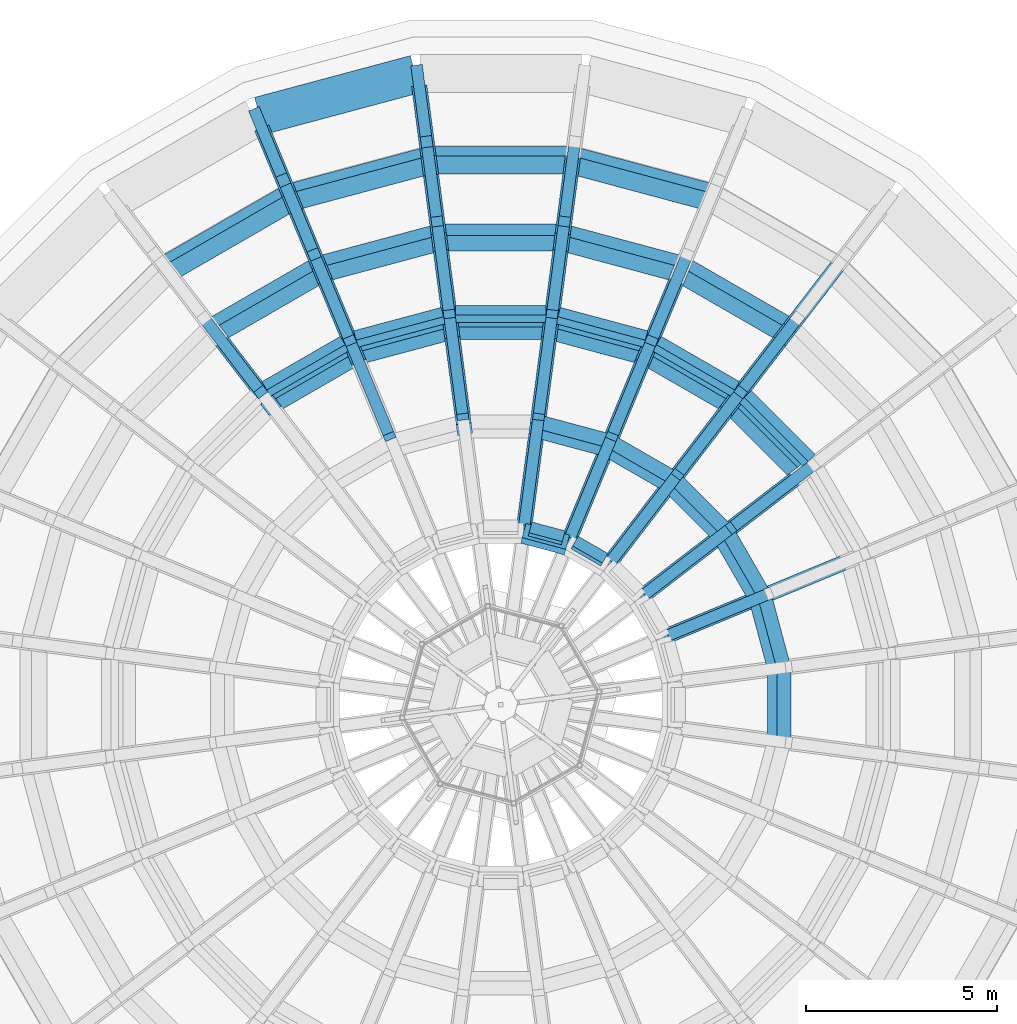
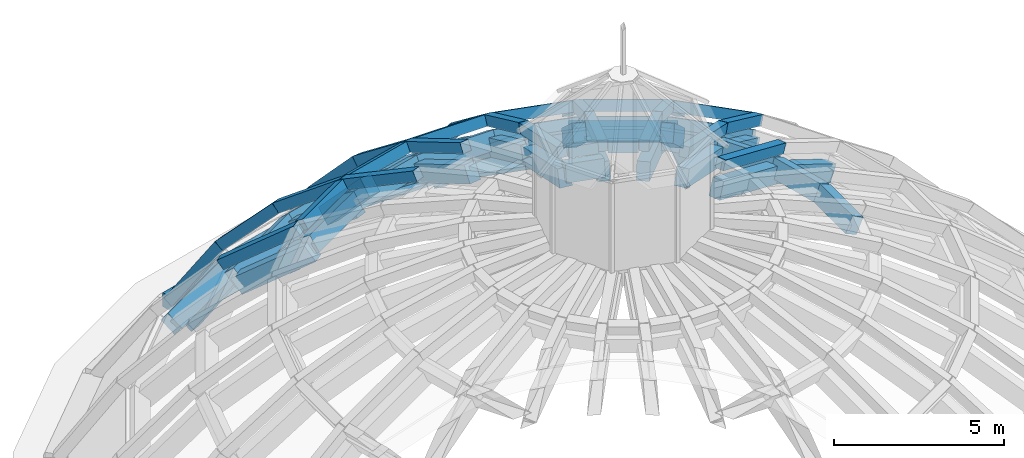
# One storey, part 16 of 29: 45 members, 31 beams.
"""IFC4 building model written with IfcOpenShell, lengths in metres."""

from ifc_helpers import new_model, si_unit, direction, frame, origin, origin_2d, place, context, subcontext, project, spatial, rectangle, extrude, material, material_profile, profile_set, type_object, element, save


model = new_model("IFC4")

# Units and contexts
model_context = context("Model", 3, precision=1e-05, world=origin(), true_north=direction((0.0, 1.0)))
body_context = subcontext(model_context, "Body", "Model", "MODEL_VIEW")
ifc_project = project(units=[si_unit("LENGTHUNIT", "METRE"), si_unit("AREAUNIT", "SQUARE_METRE"), si_unit("VOLUMEUNIT", "CUBIC_METRE"), si_unit("PLANEANGLEUNIT", "RADIAN"), si_unit("MASSUNIT", "GRAM", prefix="KILO")], contexts=[model_context])

# Site, building, storey
site_placement = place(None, origin())
site = spatial("IfcSite", under=ifc_project, at=site_placement, CompositionType="ELEMENT")
building_placement = place(site_placement, origin())
building = spatial("IfcBuilding", under=site, at=building_placement, Name="Golden Quay Civic Hall", CompositionType="ELEMENT")
storey_placement = place(building_placement, frame((0.0, 0.0, 27.0)))
storey = spatial("IfcBuildingStorey", under=building, at=storey_placement, Name="L06", CompositionType="ELEMENT", Elevation=27.0)

# Members
ifc_material_1 = material(Name="Concrete C40/50", Category="concrete")
ifc_material_profile_1 = material_profile(ifc_material_1, rectangle(XDim=0.39990234375, YDim=0.60009765625, at=origin_2d()), Name="RC 400x600")
ifc_profile_set_1 = profile_set([ifc_material_profile_1], Name="Concrete C40/50")
member_type_1 = type_object("IfcMemberType", Name="Reinforced concrete dome meridian rib 400x600", PredefinedType="STRUT", material=ifc_profile_set_1)
member_1_placement = place(storey_placement, frame((94.614013671875, 89.275146484375, 6.25048828125), z_axis=(-0.813382122153, -0.336908735718, 0.474238365338), x_axis=(0.382678419342, -0.923881608957, 0.0)))
element("IfcMember", 1, at=member_1_placement, inside=storey, type_object=member_type_1, Name="Dome meridian rib 2.4", PredefinedType="STRUT", context=body_context, shape_type="SweptSolid", body=[
    extrude(rectangle(XDim=0.39990234375, YDim=0.60009765625, at=origin_2d()), origin(), (0.0, 0.0, 1.0), 2.94921875),
])
for number, where, z_axis, x_axis, name in (
    (2, (92.215087890625, 88.281494140625, 7.649169921875), (-0.87370637571, -0.361899031227, 0.325063471095), (0.382681628015, -0.923880279895, 0.0), "Dome meridian rib 2.5"),
    (3, (93.326416015625, 91.50537109375, 6.25048828125), (-0.698460851057, -0.535972269565, 0.47422164206), (0.608778878712, -0.793339950358, 0.0), "Dome meridian rib 3.4"),
):
    element("IfcMember", number, at=place(storey_placement, frame(where, z_axis=z_axis, x_axis=x_axis)), inside=storey, type_object=member_type_1, Name=name, PredefinedType="STRUT", context=body_context, shape_type="SweptSolid", body=[
        extrude(rectangle(XDim=0.39990234375, YDim=0.60009765625, at=origin_2d()), origin(), (0.0, 0.0, 1.0), 2.949462890625),
    ])
member_2_placement = place(storey_placement, frame((91.266357421875, 89.924560546875, 7.649169921875), z_axis=(-0.750307626123, -0.575644222425, 0.325072600153), x_axis=(0.608703478453, -0.793397803954, 0.0)))
element("IfcMember", 4, at=member_2_placement, inside=storey, type_object=member_type_1, Name="Dome meridian rib 3.5", PredefinedType="STRUT", context=body_context, shape_type="SweptSolid", body=[
    extrude(rectangle(XDim=0.39990234375, YDim=0.60009765625, at=origin_2d()), origin(), (0.0, 0.0, 1.0), 2.94921875),
])
member_3_placement = place(storey_placement, frame((94.15234375, 96.776123046875, 2.293701171875), z_axis=(-0.415380151346, -0.541368312037, 0.731012777309), x_axis=(0.793372000459, -0.608737109833, 0.0)))
element("IfcMember", 5, at=member_3_placement, inside=storey, type_object=member_type_1, Name="Dome meridian rib 4.2", PredefinedType="STRUT", context=body_context, shape_type="SweptSolid", body=[
    extrude(rectangle(XDim=0.39990234375, YDim=0.60009765625, at=origin_2d()), origin(), (0.0, 0.0, 1.0), 2.949462890625),
])
member_4_placement = place(storey_placement, frame((92.92724609375, 95.179443359375, 4.44970703125), z_axis=(-0.482109208153, -0.628298229719, 0.610583365271), x_axis=(0.793353937939, -0.608760650139, 0.0)))
element("IfcMember", 6, at=member_4_placement, inside=storey, type_object=member_type_1, Name="Dome meridian rib 4.3", PredefinedType="STRUT", context=body_context, shape_type="SweptSolid", body=[
    extrude(rectangle(XDim=0.39990234375, YDim=0.60009765625, at=origin_2d()), origin(), (0.0, 0.0, 1.0), 2.94921875),
])
member_5_placement = place(storey_placement, frame((91.50537109375, 93.326416015625, 6.25048828125), z_axis=(-0.535972269565, -0.698460851057, 0.47422164206), x_axis=(0.793339950358, -0.608778878712, 0.0)))
element("IfcMember", 7, at=member_5_placement, inside=storey, type_object=member_type_1, Name="Dome meridian rib 4.4", PredefinedType="STRUT", context=body_context, shape_type="SweptSolid", body=[
    extrude(rectangle(XDim=0.39990234375, YDim=0.60009765625, at=origin_2d()), origin(), (0.0, 0.0, 1.0), 2.949462890625),
])
for number, where, z_axis, x_axis, name in (
    (8, (89.924560546875, 91.266357421875, 7.649169921875), (-0.575644222425, -0.750307626123, 0.325072600153), (0.793397803954, -0.608703478453, 0.0), "Dome meridian rib 4.5"),
    (9, (90.1689453125, 96.77197265625, 4.44970703125), (-0.303052719311, -0.731680684509, 0.610575486926), (0.923888167801, -0.382662584265, 0.0), "Dome meridian rib 5.3"),
    (10, (89.275146484375, 94.614013671875, 6.25048828125), (-0.336908735718, -0.813382122153, 0.474238365338), (0.923881608957, -0.382678419342, 0.0), "Dome meridian rib 5.4"),
):
    element("IfcMember", number, at=place(storey_placement, frame(where, z_axis=z_axis, x_axis=x_axis)), inside=storey, type_object=member_type_1, Name=name, PredefinedType="STRUT", context=body_context, shape_type="SweptSolid", body=[
        extrude(rectangle(XDim=0.39990234375, YDim=0.60009765625, at=origin_2d()), origin(), (0.0, 0.0, 1.0), 2.94921875),
    ])
for number, where, z_axis, x_axis, name in (
    (11, (88.281494140625, 92.215087890625, 7.649169921875), (-0.361899031227, -0.87370637571, 0.325063471095), (0.923880279895, -0.382681628015, 0.0), "Dome meridian rib 5.5"),
    (12, (87.355224609375, 99.591552734375, 2.293701171875), (-0.089068005808, -0.676536070137, 0.731003307889), (0.991444796426, -0.130526685544, 0.0), "Dome meridian rib 6.2"),
):
    element("IfcMember", number, at=place(storey_placement, frame(where, z_axis=z_axis, x_axis=x_axis)), inside=storey, type_object=member_type_1, Name=name, PredefinedType="STRUT", context=body_context, shape_type="SweptSolid", body=[
        extrude(rectangle(XDim=0.39990234375, YDim=0.60009765625, at=origin_2d()), origin(), (0.0, 0.0, 1.0), 2.949462890625),
    ])
member_6_placement = place(storey_placement, frame((87.092529296875, 97.59619140625, 4.44970703125), z_axis=(-0.103392551134, -0.785170814657, 0.61058723552), x_axis=(0.991441126748, -0.130554556385, 0.0)))
element("IfcMember", 13, at=member_6_placement, inside=storey, type_object=member_type_1, Name="Dome meridian rib 6.3", PredefinedType="STRUT", context=body_context, shape_type="SweptSolid", body=[
    extrude(rectangle(XDim=0.39990234375, YDim=0.60009765625, at=origin_2d()), origin(), (0.0, 0.0, 1.0), 2.94921875),
])
member_7_placement = place(storey_placement, frame((86.78759765625, 95.280517578125, 6.25048828125), z_axis=(-0.114893336309, -0.87287480647, 0.474224728902), x_axis=(0.991448214162, -0.130500722737, 0.0)))
element("IfcMember", 14, at=member_7_placement, inside=storey, type_object=member_type_1, Name="Dome meridian rib 6.4", PredefinedType="STRUT", context=body_context, shape_type="SweptSolid", body=[
    extrude(rectangle(XDim=0.39990234375, YDim=0.60009765625, at=origin_2d()), origin(), (0.0, 0.0, 1.0), 2.949462890625),
])
member_8_placement = place(storey_placement, frame((86.44873046875, 92.7060546875, 7.649169921875), z_axis=(-0.123428723032, -0.937594712982, 0.325086918407), x_axis=(0.991445950967, -0.130517915671, 0.0)))
element("IfcMember", 15, at=member_8_placement, inside=storey, type_object=member_type_1, Name="Dome meridian rib 6.5", PredefinedType="STRUT", context=body_context, shape_type="SweptSolid", body=[
    extrude(rectangle(XDim=0.39990234375, YDim=0.60009765625, at=origin_2d()), origin(), (0.0, 0.0, 1.0), 2.94921875),
])
member_9_placement = place(storey_placement, frame((83.40234375, 101.43408203125, -0.492919921875), z_axis=(0.072379120587, -0.550095894332, 0.831958995349), x_axis=(0.99145474268, 0.130451114281, 0.0)))
element("IfcMember", 16, at=member_9_placement, inside=storey, type_object=member_type_1, Name="Dome meridian rib 7.1", PredefinedType="STRUT", context=body_context, shape_type="SweptSolid", body=[
    extrude(rectangle(XDim=0.39990234375, YDim=0.60009765625, at=origin_2d()), origin(), (0.0, 0.0, 1.0), 3.349365234375),
])
member_10_placement = place(storey_placement, frame((83.644775390625, 99.591552734375, 2.293701171875), z_axis=(0.089068005808, -0.676536070137, 0.731003307889), x_axis=(0.991444796426, 0.130526685544, 0.0)))
element("IfcMember", 17, at=member_10_placement, inside=storey, type_object=member_type_1, Name="Dome meridian rib 7.2", PredefinedType="STRUT", context=body_context, shape_type="SweptSolid", body=[
    extrude(rectangle(XDim=0.39990234375, YDim=0.60009765625, at=origin_2d()), origin(), (0.0, 0.0, 1.0), 2.949462890625),
])
member_11_placement = place(storey_placement, frame((83.907470703125, 97.59619140625, 4.44970703125), z_axis=(0.103392551134, -0.785170814657, 0.61058723552), x_axis=(0.991441126748, 0.130554556385, 0.0)))
element("IfcMember", 18, at=member_11_placement, inside=storey, type_object=member_type_1, Name="Dome meridian rib 7.3", PredefinedType="STRUT", context=body_context, shape_type="SweptSolid", body=[
    extrude(rectangle(XDim=0.39990234375, YDim=0.60009765625, at=origin_2d()), origin(), (0.0, 0.0, 1.0), 2.94921875),
])
member_12_placement = place(storey_placement, frame((84.21240234375, 95.280517578125, 6.25048828125), z_axis=(0.114893336309, -0.87287480647, 0.474224728902), x_axis=(0.991448214162, 0.130500722737, 0.0)))
element("IfcMember", 19, at=member_12_placement, inside=storey, type_object=member_type_1, Name="Dome meridian rib 7.4", PredefinedType="STRUT", context=body_context, shape_type="SweptSolid", body=[
    extrude(rectangle(XDim=0.39990234375, YDim=0.60009765625, at=origin_2d()), origin(), (0.0, 0.0, 1.0), 2.949462890625),
])
member_13_placement = place(storey_placement, frame((79.349609375, 100.34814453125, -0.492919921875), z_axis=(0.212331552419, -0.512569679577, 0.831978146003), x_axis=(0.923867908922, 0.382711492988, 0.0)))
element("IfcMember", 20, at=member_13_placement, inside=storey, type_object=member_type_1, Name="Dome meridian rib 8.1", PredefinedType="STRUT", context=body_context, shape_type="SweptSolid", body=[
    extrude(rectangle(XDim=0.39990234375, YDim=0.60009765625, at=origin_2d()), origin(), (0.0, 0.0, 1.0), 3.349365234375),
])
member_14_placement = place(storey_placement, frame((80.060791015625, 98.63134765625, 2.293701171875), z_axis=(0.26115971051, -0.630425469175, 0.730998860069), x_axis=(0.923864542042, 0.382719620554, 0.0)))
element("IfcMember", 21, at=member_14_placement, inside=storey, type_object=member_type_1, Name="Dome meridian rib 8.2", PredefinedType="STRUT", context=body_context, shape_type="SweptSolid", body=[
    extrude(rectangle(XDim=0.39990234375, YDim=0.60009765625, at=origin_2d()), origin(), (0.0, 0.0, 1.0), 2.949462890625),
])
for number, where, z_axis, x_axis, name in (
    (22, (80.8310546875, 96.77197265625, 4.44970703125), (0.303052719311, -0.731680684509, 0.610575486926), (0.923888167801, 0.382662584265, 0.0), "Dome meridian rib 8.3"),
    (23, (78.07275390625, 95.179443359375, 4.44970703125), (0.482109208153, -0.628298229719, 0.610583365271), (0.793353937939, 0.608760650139, 0.0), "Dome meridian rib 9.3"),
):
    element("IfcMember", number, at=place(storey_placement, frame(where, z_axis=z_axis, x_axis=x_axis)), inside=storey, type_object=member_type_1, Name=name, PredefinedType="STRUT", context=body_context, shape_type="SweptSolid", body=[
        extrude(rectangle(XDim=0.39990234375, YDim=0.60009765625, at=origin_2d()), origin(), (0.0, 0.0, 1.0), 2.94921875),
    ])
ifc_material_2 = material(Name="Concrete C40/50", Category="concrete")
ifc_material_profile_2 = material_profile(ifc_material_2, rectangle(XDim=0.300048828125, YDim=0.35009765625, at=origin_2d()), Name="RC 300x350")
ifc_profile_set_2 = profile_set([ifc_material_profile_2], Name="Concrete C40/50")
member_type_2 = type_object("IfcMemberType", Name="Reinforced concrete dome outer rib 300x350", PredefinedType="STRUT", material=ifc_profile_set_2)
for number, where, z_axis, x_axis, name in (
    (24, (92.51318359375, 88.405029296875, 8.386474609375), (-0.873682825945, -0.361901096187, 0.325124462671), (0.382692296203, -0.923875860939, 0.0), "Dome outer rib 2.5"),
    (25, (93.674072265625, 91.772216796875, 6.926025390625), (-0.698495937356, -0.53601815776, 0.474118086607), (0.608792435052, -0.793329547555, 0.0), "Dome outer rib 3.4"),
):
    element("IfcMember", number, at=place(storey_placement, frame(where, z_axis=z_axis, x_axis=x_axis)), inside=storey, type_object=member_type_2, Name=name, PredefinedType="STRUT", context=body_context, shape_type="SweptSolid", body=[
        extrude(rectangle(XDim=0.300048828125, YDim=0.35009765625, at=origin_2d()), origin(), (0.0, 0.0, 1.0), 3.080322265625),
    ])
member_15_placement = place(storey_placement, frame((91.5224609375, 90.12109375, 8.386474609375), z_axis=(-0.750306274823, -0.575628443439, 0.325103658955), x_axis=(0.608693665393, -0.793405332545, 0.0)))
element("IfcMember", 26, at=member_15_placement, inside=storey, type_object=member_type_2, Name="Dome outer rib 3.5", PredefinedType="STRUT", context=body_context, shape_type="SweptSolid", body=[
    extrude(rectangle(XDim=0.300048828125, YDim=0.35009765625, at=origin_2d()), origin(), (0.0, 0.0, 1.0), 3.08056640625),
])
for number, where, z_axis, x_axis, name in (
    (27, (93.257080078125, 95.609130859375, 5.044921875), (-0.482062360304, -0.628218722093, 0.610702151618), (0.793345301321, -0.608771905455, 0.0), "Dome outer rib 4.3"),
    (28, (91.772216796875, 93.674072265625, 6.926025390625), (-0.53601815776, -0.698495937356, 0.474118086607), (0.793329547555, -0.608792435052, 0.0), "Dome outer rib 4.4"),
):
    element("IfcMember", number, at=place(storey_placement, frame(where, z_axis=z_axis, x_axis=x_axis)), inside=storey, type_object=member_type_2, Name=name, PredefinedType="STRUT", context=body_context, shape_type="SweptSolid", body=[
        extrude(rectangle(XDim=0.300048828125, YDim=0.35009765625, at=origin_2d()), origin(), (0.0, 0.0, 1.0), 3.080322265625),
    ])
member_16_placement = place(storey_placement, frame((90.12109375, 91.5224609375, 8.386474609375), z_axis=(-0.575628443439, -0.750306274823, 0.325103658955), x_axis=(0.793405332545, -0.608693665393, 0.0)))
element("IfcMember", 29, at=member_16_placement, inside=storey, type_object=member_type_2, Name="Dome outer rib 4.5", PredefinedType="STRUT", context=body_context, shape_type="SweptSolid", body=[
    extrude(rectangle(XDim=0.300048828125, YDim=0.35009765625, at=origin_2d()), origin(), (0.0, 0.0, 1.0), 3.08056640625),
])
for number, where, z_axis, x_axis, name in (
    (30, (90.376220703125, 97.2724609375, 5.044921875), (-0.302999100453, -0.731620375695, 0.61067435757), (0.923900953555, -0.382631713297, 0.0), "Dome outer rib 5.3"),
    (31, (89.44287109375, 95.018798828125, 6.926025390625), (-0.336930808677, -0.813437047625, 0.474128463304), (0.923881881036, -0.382677762475, 0.0), "Dome outer rib 5.4"),
    (32, (88.405029296875, 92.51318359375, 8.386474609375), (-0.361901096187, -0.873682825945, 0.325124462671), (0.923875860939, -0.382692296203, 0.0), "Dome outer rib 5.5"),
    (33, (87.4375, 100.21728515625, 2.793212890625), (-0.089085674566, -0.67654387731, 0.730993929292), (0.991441640286, -0.130550656476, 0.0), "Dome outer rib 6.2"),
    (34, (87.1630859375, 98.13330078125, 5.044921875), (-0.10335015633, -0.78511246059, 0.610669443655), (0.991446799418, -0.130511470467, 0.0), "Dome outer rib 6.3"),
):
    element("IfcMember", number, at=place(storey_placement, frame(where, z_axis=z_axis, x_axis=x_axis)), inside=storey, type_object=member_type_2, Name=name, PredefinedType="STRUT", context=body_context, shape_type="SweptSolid", body=[
        extrude(rectangle(XDim=0.300048828125, YDim=0.35009765625, at=origin_2d()), origin(), (0.0, 0.0, 1.0), 3.080322265625),
    ])
member_17_placement = place(storey_placement, frame((86.8447265625, 95.71484375, 6.926025390625), z_axis=(-0.114929974658, -0.872912973044, 0.474145592005), x_axis=(0.991443567654, -0.130536018623, 0.0)))
element("IfcMember", 35, at=member_17_placement, inside=storey, type_object=member_type_2, Name="Dome outer rib 6.4", PredefinedType="STRUT", context=body_context, shape_type="SweptSolid", body=[
    extrude(rectangle(XDim=0.300048828125, YDim=0.35009765625, at=origin_2d()), origin(), (0.0, 0.0, 1.0), 3.080078125),
])
member_18_placement = place(storey_placement, frame((86.49072265625, 93.026123046875, 8.386474609375), z_axis=(-0.123400719122, -0.937591847923, 0.325105812357), x_axis=(0.991449730846, -0.130489199571, 0.0)))
element("IfcMember", 36, at=member_18_placement, inside=storey, type_object=member_type_2, Name="Dome outer rib 6.5", PredefinedType="STRUT", context=body_context, shape_type="SweptSolid", body=[
    extrude(rectangle(XDim=0.300048828125, YDim=0.35009765625, at=origin_2d()), origin(), (0.0, 0.0, 1.0), 3.080322265625),
])
member_19_placement = place(storey_placement, frame((83.317626953125, 102.076904296875, -0.01904296875), z_axis=(0.072439628972, -0.550122287018, 0.831936277296), x_axis=(0.991441442918, 0.130552155343, 0.0)))
element("IfcMember", 37, at=member_19_placement, inside=storey, type_object=member_type_2, Name="Dome outer rib 7.1", PredefinedType="STRUT", context=body_context, shape_type="SweptSolid", body=[
    extrude(rectangle(XDim=0.300048828125, YDim=0.35009765625, at=origin_2d()), origin(), (0.0, 0.0, 1.0), 3.38037109375),
])
for number, where, z_axis, x_axis, name in (
    (38, (83.5625, 100.21728515625, 2.793212890625), (0.089085674566, -0.67654387731, 0.730993929292), (0.991441640286, 0.130550656476, 0.0), "Dome outer rib 7.2"),
    (39, (83.8369140625, 98.13330078125, 5.044921875), (0.10335015633, -0.78511246059, 0.610669443655), (0.991446799418, 0.130511470467, 0.0), "Dome outer rib 7.3"),
):
    element("IfcMember", number, at=place(storey_placement, frame(where, z_axis=z_axis, x_axis=x_axis)), inside=storey, type_object=member_type_2, Name=name, PredefinedType="STRUT", context=body_context, shape_type="SweptSolid", body=[
        extrude(rectangle(XDim=0.300048828125, YDim=0.35009765625, at=origin_2d()), origin(), (0.0, 0.0, 1.0), 3.080322265625),
    ])
member_20_placement = place(storey_placement, frame((84.1552734375, 95.71484375, 6.926025390625), z_axis=(0.114929974658, -0.872912973044, 0.474145592005), x_axis=(0.991443567654, 0.130536018623, 0.0)))
element("IfcMember", 40, at=member_20_placement, inside=storey, type_object=member_type_2, Name="Dome outer rib 7.4", PredefinedType="STRUT", context=body_context, shape_type="SweptSolid", body=[
    extrude(rectangle(XDim=0.300048828125, YDim=0.35009765625, at=origin_2d()), origin(), (0.0, 0.0, 1.0), 3.080078125),
])
member_21_placement = place(storey_placement, frame((79.1015625, 100.947021484375, -0.01904296875), z_axis=(0.212343083873, -0.512584648384, 0.831965980658), x_axis=(0.923864511824, 0.382719693499, 0.0)))
element("IfcMember", 41, at=member_21_placement, inside=storey, type_object=member_type_2, Name="Dome outer rib 8.1", PredefinedType="STRUT", context=body_context, shape_type="SweptSolid", body=[
    extrude(rectangle(XDim=0.300048828125, YDim=0.35009765625, at=origin_2d()), origin(), (0.0, 0.0, 1.0), 3.38037109375),
])
for number, where, z_axis, x_axis, name in (
    (42, (79.8193359375, 99.21435546875, 2.793212890625), (0.261157075821, -0.630422877415, 0.731002036509), (0.923865350906, 0.382717667995, 0.0), "Dome outer rib 8.2"),
    (43, (80.623779296875, 97.2724609375, 5.044921875), (0.302999100453, -0.731620375695, 0.61067435757), (0.923900953555, 0.382631713297, 0.0), "Dome outer rib 8.3"),
    (44, (81.55712890625, 95.018798828125, 6.926025390625), (0.336930808677, -0.813437047625, 0.474128463304), (0.923881881036, 0.382677762475, 0.0), "Dome outer rib 8.4"),
    (45, (77.742919921875, 95.609130859375, 5.044921875), (0.482062360304, -0.628218722093, 0.610702151618), (0.793345301321, 0.608771905455, 0.0), "Dome outer rib 9.3"),
):
    element("IfcMember", number, at=place(storey_placement, frame(where, z_axis=z_axis, x_axis=x_axis)), inside=storey, type_object=member_type_2, Name=name, PredefinedType="STRUT", context=body_context, shape_type="SweptSolid", body=[
        extrude(rectangle(XDim=0.300048828125, YDim=0.35009765625, at=origin_2d()), origin(), (0.0, 0.0, 1.0), 3.080322265625),
    ])

# Beams
ifc_material_3 = material(Name="Concrete C40/50", Category="concrete")
ifc_material_profile_3 = material_profile(ifc_material_3, rectangle(XDim=0.300048828125, YDim=0.35009765625, at=origin_2d()), Name="RC 300x350")
ifc_profile_set_3 = profile_set([ifc_material_profile_3], Name="Concrete C40/50")
beam_type_1 = type_object("IfcBeamType", Name="Reinforced concrete dome outer ring beam 300x350", PredefinedType="BEAM", material=ifc_profile_set_3)
beam_1_placement = place(storey_placement, frame((93.559814453125, 91.88623046875, 6.926025390625), z_axis=(-0.707106781187, 0.707106781187, 0.0), x_axis=(-0.593227182039, -0.593227182039, 0.544208618988)))
element("IfcBeam", 46, at=beam_1_placement, inside=storey, type_object=beam_type_1, Name="Dome outer ring beam segment 3", PredefinedType="BEAM", context=body_context, shape_type="SweptSolid", body=[
    extrude(rectangle(XDim=0.300048828125, YDim=0.35009765625, at=origin_2d()), origin(), (0.0, 0.0, 1.0), 2.36669921875),
])
beam_2_placement = place(storey_placement, frame((91.63232421875, 93.754638671875, 6.926025390625), z_axis=(-0.866044736887, 0.499966512588, 0.0), x_axis=(-0.419446868942, -0.726568168277, 0.544208618988)))
element("IfcBeam", 47, at=beam_2_placement, inside=storey, type_object=beam_type_1, Name="Dome outer ring beam segment 4", PredefinedType="BEAM", context=body_context, shape_type="SweptSolid", body=[
    extrude(rectangle(XDim=0.300048828125, YDim=0.35009765625, at=origin_2d()), origin(), (0.0, 0.0, 1.0), 2.366943359375),
])
for number, where, z_axis, x_axis, name in (
    (48, (89.287109375, 95.060546875, 6.926025390625), (-0.965941607323, 0.258760142299, 0.0), (-0.217086802339, -0.810376640378, 0.544208618988), "Dome outer ring beam segment 5"),
    (49, (86.68359375, 95.71484375, 6.926025390625), (-1.0, 0.0, 0.0), (0.0, -0.838949926408, 0.544208618988), "Dome outer ring beam segment 6"),
    (50, (83.99951171875, 95.673095703125, 6.926025390625), (-0.965941607323, -0.258760142299, 0.0), (0.217086802339, -0.810376640378, 0.544208618988), "Dome outer ring beam segment 7"),
):
    element("IfcBeam", number, at=place(storey_placement, frame(where, z_axis=z_axis, x_axis=x_axis)), inside=storey, type_object=beam_type_1, Name=name, PredefinedType="BEAM", context=body_context, shape_type="SweptSolid", body=[
        extrude(rectangle(XDim=0.300048828125, YDim=0.35009765625, at=origin_2d()), origin(), (0.0, 0.0, 1.0), 2.3671875),
    ])
beam_3_placement = place(storey_placement, frame((81.41748046875, 94.93798828125, 6.926025390625), z_axis=(-0.866044736887, -0.499966512588, 0.0), x_axis=(0.419446868942, -0.726568168277, 0.544208618988)))
element("IfcBeam", 51, at=beam_3_placement, inside=storey, type_object=beam_type_1, Name="Dome outer ring beam segment 8", PredefinedType="BEAM", context=body_context, shape_type="SweptSolid", body=[
    extrude(rectangle(XDim=0.300048828125, YDim=0.35009765625, at=origin_2d()), origin(), (0.0, 0.0, 1.0), 2.366943359375),
])
beam_4_placement = place(storey_placement, frame((88.2080078125, 89.2919921875, 9.387939453125), z_axis=(-0.866027204995, 0.499996880198, 0.0), x_axis=(-0.484492769679, -0.839173074438, 0.247093721627)))
element("IfcBeam", 52, at=beam_4_placement, inside=storey, type_object=beam_type_1, Name="Dome crown outer ring beam segment 4", PredefinedType="BEAM", context=body_context, shape_type="SweptSolid", body=[
    extrude(rectangle(XDim=0.300048828125, YDim=0.35009765625, at=origin_2d()), origin(), (0.0, 0.0, 1.0), 0.8984375),
])
beam_5_placement = place(storey_placement, frame((87.134521484375, 89.86376953125, 9.387939453125), z_axis=(-0.965981989147, 0.258609351425, 0.0), x_axis=(-0.250590285458, -0.936028419209, 0.247093721627)))
element("IfcBeam", 53, at=beam_5_placement, inside=storey, type_object=beam_type_1, Name="Dome crown outer ring beam segment 5", PredefinedType="BEAM", context=body_context, shape_type="SweptSolid", body=[
    extrude(rectangle(XDim=0.300048828125, YDim=0.35009765625, at=origin_2d()), origin(), (0.0, 0.0, 1.0), 0.898681640625),
])
ifc_material_4 = material(Name="Concrete C40/50", Category="concrete")
ifc_material_profile_4 = material_profile(ifc_material_4, rectangle(XDim=0.39990234375, YDim=0.60009765625, at=origin_2d()), Name="RC 400x600")
ifc_profile_set_4 = profile_set([ifc_material_profile_4], Name="Concrete C40/50")
beam_type_2 = type_object("IfcBeamType", Name="Reinforced concrete dome ring rib 400x600", PredefinedType="BEAM", material=ifc_profile_set_4)
beam_6_placement = place(storey_placement, frame((90.9931640625, 98.76171875, 2.405517578125), z_axis=(-0.965935838159, 0.258781677402, 0.0), x_axis=(-0.160615622866, -0.599518435201, 0.784079248256)))
element("IfcBeam", 54, at=beam_6_placement, inside=storey, type_object=beam_type_2, Name="Dome ring rib 1.5", PredefinedType="BEAM", context=body_context, shape_type="SweptSolid", body=[
    extrude(rectangle(XDim=0.39990234375, YDim=0.60009765625, at=origin_2d()), origin(), (0.0, 0.0, 1.0), 3.747314453125),
])
beam_7_placement = place(storey_placement, frame((87.37353515625, 99.7314453125, 2.405517578125), z_axis=(-1.0, 0.0, 0.0), x_axis=(0.0, -0.6206607225, 0.784079248256)))
element("IfcBeam", 55, at=beam_7_placement, inside=storey, type_object=beam_type_2, Name="Dome ring rib 1.6", PredefinedType="BEAM", context=body_context, shape_type="SweptSolid", body=[
    extrude(rectangle(XDim=0.39990234375, YDim=0.60009765625, at=origin_2d()), origin(), (0.0, 0.0, 1.0), 3.7470703125),
])
for number, where, z_axis, x_axis, name in (
    (56, (83.62646484375, 99.7314453125, 2.405517578125), (-0.965935838159, -0.258781677402, 0.0), (0.160615622866, -0.599518435201, 0.784079248256), "Dome ring rib 1.7"),
    (57, (80.0068359375, 98.76171875, 2.405517578125), (-0.866001134469, -0.500042033332, 0.0), (0.310356449688, -0.537492889806, 0.784079248256), "Dome ring rib 1.8"),
):
    element("IfcBeam", number, at=place(storey_placement, frame(where, z_axis=z_axis, x_axis=x_axis)), inside=storey, type_object=beam_type_2, Name=name, PredefinedType="BEAM", context=body_context, shape_type="SweptSolid", body=[
        extrude(rectangle(XDim=0.39990234375, YDim=0.60009765625, at=origin_2d()), origin(), (0.0, 0.0, 1.0), 3.747314453125),
    ])
for number, where, z_axis, x_axis, name in (
    (58, (93.0009765625, 95.275390625, 4.582763671875), (-0.866011158645, 0.500024672494, 0.0), (-0.369815587852, -0.640497246114, 0.673052530418), "Dome ring rib 2.4"),
    (59, (90.21533203125, 96.8837890625, 4.582763671875), (-0.96592433524, 0.25882460971, 0.0), (-0.191425304502, -0.714392500027, 0.673052530418), "Dome ring rib 2.5"),
):
    element("IfcBeam", number, at=place(storey_placement, frame(where, z_axis=z_axis, x_axis=x_axis)), inside=storey, type_object=beam_type_2, Name=name, PredefinedType="BEAM", context=body_context, shape_type="SweptSolid", body=[
        extrude(rectangle(XDim=0.39990234375, YDim=0.60009765625, at=origin_2d()), origin(), (0.0, 0.0, 1.0), 3.216552734375),
    ])
beam_8_placement = place(storey_placement, frame((87.1083984375, 97.71630859375, 4.582763671875), z_axis=(-1.0, 0.0, 0.0), x_axis=(0.0, -0.739594680415, 0.673052530418)))
element("IfcBeam", 60, at=beam_8_placement, inside=storey, type_object=beam_type_2, Name="Dome ring rib 2.6", PredefinedType="BEAM", context=body_context, shape_type="SweptSolid", body=[
    extrude(rectangle(XDim=0.39990234375, YDim=0.60009765625, at=origin_2d()), origin(), (0.0, 0.0, 1.0), 3.216796875),
])
for number, where, z_axis, x_axis, name in (
    (61, (83.8916015625, 97.71630859375, 4.582763671875), (-0.96592433524, -0.25882460971, 0.0), (0.191425304502, -0.714392500027, 0.673052530418), "Dome ring rib 2.7"),
    (62, (80.78466796875, 96.8837890625, 4.582763671875), (-0.866011158645, -0.500024672494, 0.0), (0.369815587852, -0.640497246114, 0.673052530418), "Dome ring rib 2.8"),
):
    element("IfcBeam", number, at=place(storey_placement, frame(where, z_axis=z_axis, x_axis=x_axis)), inside=storey, type_object=beam_type_2, Name=name, PredefinedType="BEAM", context=body_context, shape_type="SweptSolid", body=[
        extrude(rectangle(XDim=0.39990234375, YDim=0.60009765625, at=origin_2d()), origin(), (0.0, 0.0, 1.0), 3.216552734375),
    ])
beam_9_placement = place(storey_placement, frame((93.404052734375, 91.565185546875, 6.401611328125), z_axis=(-0.707106781187, 0.707106781187, 0.0), x_axis=(-0.593227182039, -0.593227182039, 0.544208618988)))
element("IfcBeam", 63, at=beam_9_placement, inside=storey, type_object=beam_type_2, Name="Dome ring rib 3.3", PredefinedType="BEAM", context=body_context, shape_type="SweptSolid", body=[
    extrude(rectangle(XDim=0.39990234375, YDim=0.60009765625, at=origin_2d()), origin(), (0.0, 0.0, 1.0), 2.6005859375),
])
beam_10_placement = place(storey_placement, frame((91.565185546875, 93.404052734375, 6.401611328125), z_axis=(-0.866010510293, 0.500025795397, 0.0), x_axis=(-0.41949660425, -0.726539453879, 0.544208618988)))
element("IfcBeam", 64, at=beam_10_placement, inside=storey, type_object=beam_type_2, Name="Dome ring rib 3.4", PredefinedType="BEAM", context=body_context, shape_type="SweptSolid", body=[
    extrude(rectangle(XDim=0.39990234375, YDim=0.60009765625, at=origin_2d()), origin(), (0.0, 0.0, 1.0), 2.600830078125),
])
beam_11_placement = place(storey_placement, frame((89.312744140625, 94.70458984375, 6.401611328125), z_axis=(-0.965936740189, 0.258778310437, 0.0), x_axis=(-0.217102044497, -0.810372557096, 0.544208618988)))
element("IfcBeam", 65, at=beam_11_placement, inside=storey, type_object=beam_type_2, Name="Dome ring rib 3.5", PredefinedType="BEAM", context=body_context, shape_type="SweptSolid", body=[
    extrude(rectangle(XDim=0.39990234375, YDim=0.60009765625, at=origin_2d()), origin(), (0.0, 0.0, 1.0), 2.60107421875),
])
beam_12_placement = place(storey_placement, frame((86.80029296875, 95.377685546875, 6.401611328125), z_axis=(-1.0, 0.0, 0.0), x_axis=(0.0, -0.838949926408, 0.544208618988)))
element("IfcBeam", 66, at=beam_12_placement, inside=storey, type_object=beam_type_2, Name="Dome ring rib 3.6", PredefinedType="BEAM", context=body_context, shape_type="SweptSolid", body=[
    extrude(rectangle(XDim=0.39990234375, YDim=0.60009765625, at=origin_2d()), origin(), (0.0, 0.0, 1.0), 2.6005859375),
])
beam_13_placement = place(storey_placement, frame((84.19970703125, 95.377685546875, 6.401611328125), z_axis=(-0.965936740189, -0.258778310437, 0.0), x_axis=(0.217102044497, -0.810372557096, 0.544208618988)))
element("IfcBeam", 67, at=beam_13_placement, inside=storey, type_object=beam_type_2, Name="Dome ring rib 3.7", PredefinedType="BEAM", context=body_context, shape_type="SweptSolid", body=[
    extrude(rectangle(XDim=0.39990234375, YDim=0.60009765625, at=origin_2d()), origin(), (0.0, 0.0, 1.0), 2.60107421875),
])
beam_14_placement = place(storey_placement, frame((81.687255859375, 94.70458984375, 6.401611328125), z_axis=(-0.866010510293, -0.500025795397, 0.0), x_axis=(0.41949660425, -0.726539453879, 0.544208618988)))
element("IfcBeam", 68, at=beam_14_placement, inside=storey, type_object=beam_type_2, Name="Dome ring rib 3.8", PredefinedType="BEAM", context=body_context, shape_type="SweptSolid", body=[
    extrude(rectangle(XDim=0.39990234375, YDim=0.60009765625, at=origin_2d()), origin(), (0.0, 0.0, 1.0), 2.600830078125),
])
for number, where, z_axis, x_axis, name in (
    (69, (92.777587890625, 86.4580078125, 7.81396484375), (-0.258748821383, 0.965944639942, 0.0), (-0.884898317134, -0.237038839633, 0.40095829813), "Dome ring rib 4.1"),
    (70, (92.28173828125, 88.30908203125, 7.81396484375), (-0.500071685664, 0.865984012091, 0.0), (-0.793324755143, -0.458113824325, 0.40095829813), "Dome ring rib 4.2"),
    (71, (91.323486328125, 89.968505859375, 7.81396484375), (-0.707106781187, 0.707106781187, 0.0), (-0.647777910692, -0.647777910692, 0.40095829813), "Dome ring rib 4.3"),
    (72, (89.968505859375, 91.323486328125, 7.81396484375), (-0.865984012091, 0.500071685664, 0.0), (-0.458113824325, -0.793324755143, 0.40095829813), "Dome ring rib 4.4"),
    (73, (88.30908203125, 92.28173828125, 7.81396484375), (-0.965944639942, 0.258748821383, 0.0), (-0.237038839633, -0.884898317134, 0.40095829813), "Dome ring rib 4.5"),
):
    element("IfcBeam", number, at=place(storey_placement, frame(where, z_axis=z_axis, x_axis=x_axis)), inside=storey, type_object=beam_type_2, Name=name, PredefinedType="BEAM", context=body_context, shape_type="SweptSolid", body=[
        extrude(rectangle(XDim=0.39990234375, YDim=0.60009765625, at=origin_2d()), origin(), (0.0, 0.0, 1.0), 1.916259765625),
    ])
beam_15_placement = place(storey_placement, frame((92.777587890625, 84.5419921875, 7.81396484375), z_axis=(0.0, 1.0, 0.0), x_axis=(-0.916096306706, 0.0, 0.40095829813)))
element("IfcBeam", 74, at=beam_15_placement, inside=storey, type_object=beam_type_2, Name="Dome ring rib 4.24", PredefinedType="BEAM", context=body_context, shape_type="SweptSolid", body=[
    extrude(rectangle(XDim=0.39990234375, YDim=0.60009765625, at=origin_2d()), origin(), (0.0, 0.0, 1.0), 1.916015625),
])
beam_16_placement = place(storey_placement, frame((87.231201171875, 89.67919921875, 8.7822265625), z_axis=(-0.965932366965, 0.258794633734, 0.0), x_axis=(-0.250769822456, -0.935980335732, 0.247093721627)))
element("IfcBeam", 75, at=beam_16_placement, inside=storey, type_object=beam_type_2, Name="Dome ring rib 5.5", PredefinedType="BEAM", context=body_context, shape_type="SweptSolid", body=[
    extrude(rectangle(XDim=0.39990234375, YDim=0.60009765625, at=origin_2d()), origin(), (0.0, 0.0, 1.0), 1.18115234375),
])
ifc_material_5 = material(Name="Concrete C40/50", Category="concrete")
ifc_material_profile_5 = material_profile(ifc_material_5, rectangle(XDim=1.0, YDim=0.5, at=origin_2d()), Name="RC 1000x500")
ifc_profile_set_5 = profile_set([ifc_material_profile_5], Name="Concrete C40/50")
beam_type_3 = type_object("IfcBeamType", Name="Reinforced concrete springing ring beam 1000x500", PredefinedType="BEAM", material=ifc_profile_set_5)
beam_17_placement = place(storey_placement, frame((83.26416015625, 101.98291015625, -0.25), z_axis=(-0.965928392597, -0.258809467323, 0.0), x_axis=(0.258809467323, -0.965928392597, 0.0)))
element("IfcBeam", 76, at=beam_17_placement, inside=storey, type_object=beam_type_3, Name="Dome springing ring segment 7", PredefinedType="BEAM", context=body_context, shape_type="SweptSolid", body=[
    extrude(rectangle(XDim=1.0, YDim=0.5, at=origin_2d()), origin(), (0.0, 0.0, 1.0), 4.212890625),
])

save(model, "model.ifc")
